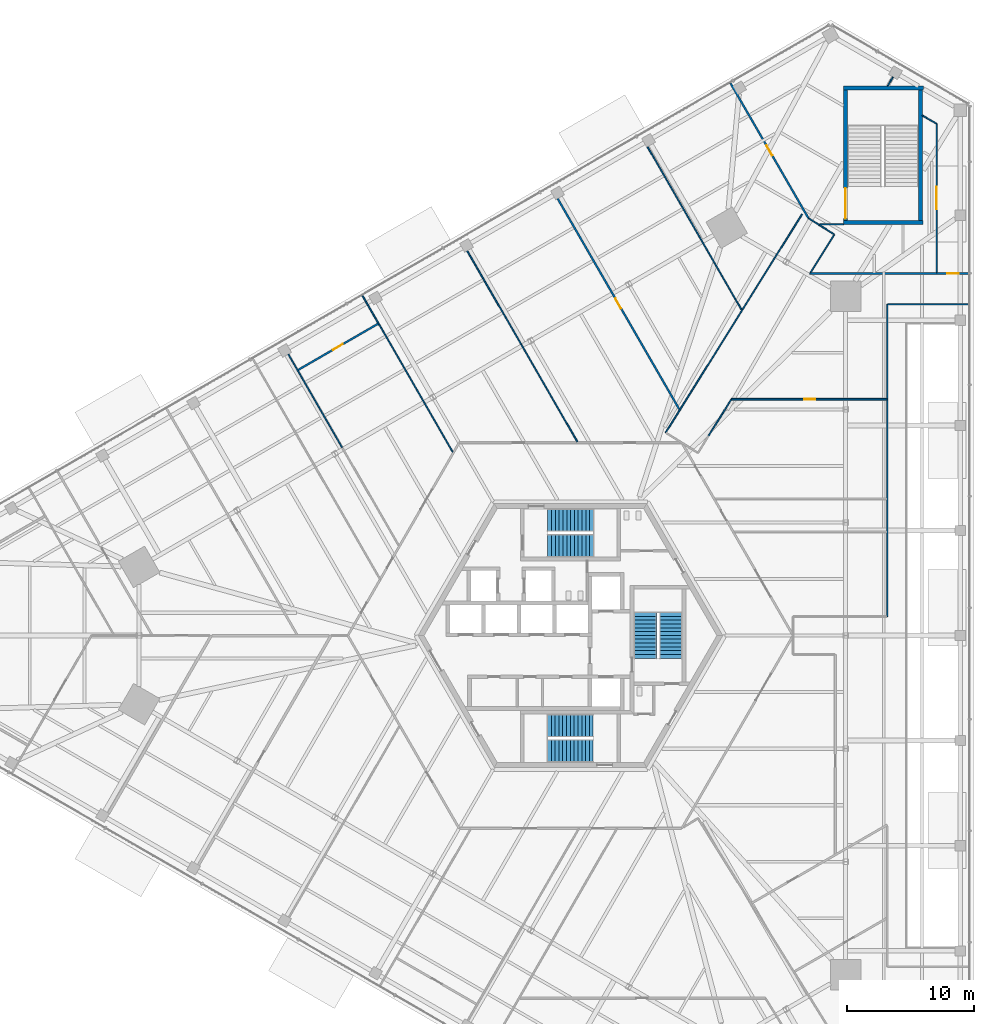
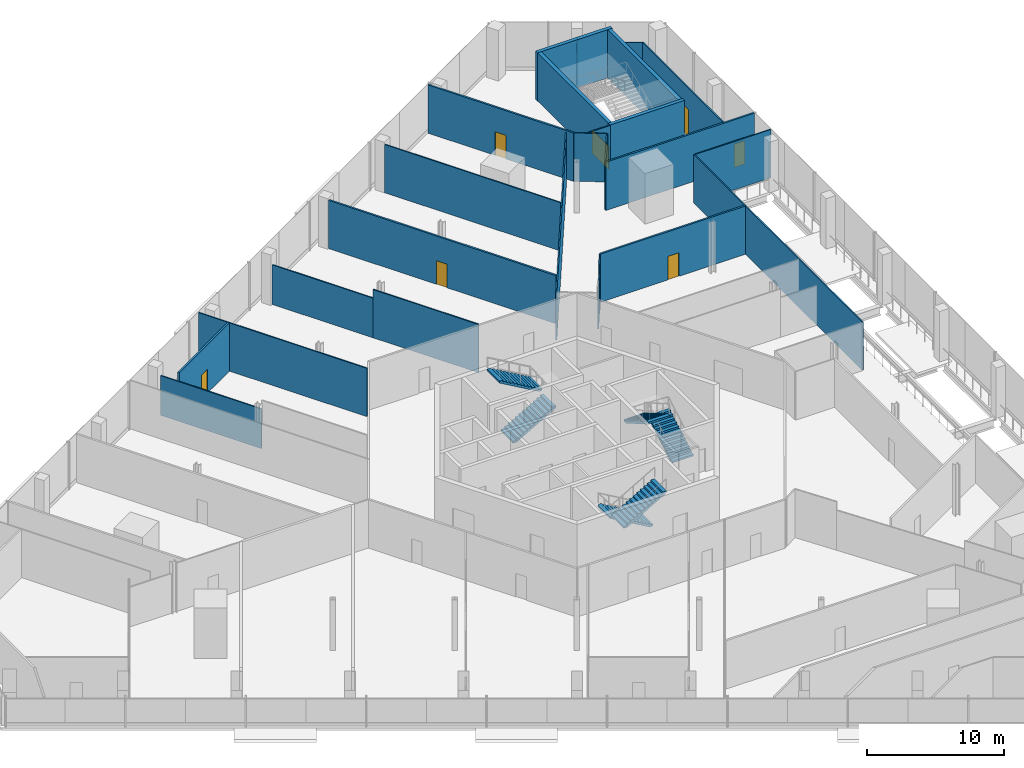
# One storey, part 23 of 27: 25 walls, 7 doors, 6 stair flights, 7 openings, 3 elements without a shape of their own.
"""IFC4 building model written with IfcOpenShell, lengths in metres."""

from ifc_helpers import new_model, si_unit, direction, frame, frame_2d, origin, place, context, subcontext, project, spatial, polyline, rectangle, outline, extrude, source, transform, mapped, material, layer, layer_set, type_object, element, fill, aggregate, save


model = new_model("IFC4")

# Units and contexts
model_context = context("Model", 3, precision=1e-05, world=origin(), true_north=direction((0.0, 1.0)))
body_context = subcontext(model_context, "Body", "Model", "MODEL_VIEW")
ifc_project = project(units=[si_unit("LENGTHUNIT", "METRE"), si_unit("AREAUNIT", "SQUARE_METRE"), si_unit("VOLUMEUNIT", "CUBIC_METRE"), si_unit("PLANEANGLEUNIT", "RADIAN"), si_unit("MASSUNIT", "GRAM", prefix="KILO")], contexts=[model_context])

# Site, building, storey
site_placement = place(None, origin())
site = spatial("IfcSite", under=ifc_project, at=site_placement, CompositionType="ELEMENT")
building_placement = place(site_placement, origin())
building = spatial("IfcBuilding", under=site, at=building_placement, Name="Triune Harvest Tower", CompositionType="ELEMENT")
storey_placement = place(building_placement, frame((0.0, 0.0, 7.0)))
storey = spatial("IfcBuildingStorey", under=building, at=storey_placement, Name="L01", CompositionType="ELEMENT", Elevation=7.0)

# Wall, opening, door
ifc_material_1 = material(Name="Gypsum board on steel studs", Category="steel")
ifc_layer_1 = layer(ifc_material_1, 0.14990234375)
ifc_layer_set_1 = layer_set([ifc_layer_1], Name="Gypsum board on steel studs")
wall_type_1 = type_object("IfcWallType", Name="Fire Partition 150 mm", PredefinedType="PARTITIONING", material=ifc_layer_set_1)
wall_1_placement = place(storey_placement, frame((-1.01171875, 34.432373046875, 0.0), z_axis=(0.0, 0.0, 1.0), x_axis=(0.500001446062, -0.866024568899, 0.0)))
wall_1 = element("IfcWall", 1, at=wall_1_placement, inside=storey, type_object=wall_type_1, Name="Partition L01 011", PredefinedType="PARTITIONING", context=body_context, shape_type="SweptSolid", body=[
    extrude(rectangle(XDim=19.16455078125, YDim=0.14990234375, at=frame_2d((9.582275390625, 0.0))), origin(), (0.0, 0.0, 1.0), 4.300048828125),
])
opening_1_placement = place(wall_1_placement, frame((9.094482421875, 0.0, 0.0)))
opening_1 = element("IfcOpeningElement", 2, at=opening_1_placement, cuts=wall_1, Name="Opening L01-012", PredefinedType="OPENING", context=body_context, shape_type="SweptSolid", body=[
    extrude(rectangle(XDim=0.89990234375, YDim=2.10009765625, at=frame_2d((0.449951171875, 1.050048828125))), frame((0.0, 0.0849609375, 0.0), z_axis=(0.0, -1.0, 0.0), x_axis=(1.0, 0.0, 0.0)), (0.0, 0.0, 1.0), 0.169921875),
])
ifc_material_2 = material(Name="Timber and steel door set", Category="steel")
door_type_1 = type_object("IfcDoorType", Name="Single leaf door FD30 left hand 900 x 2100", OperationType="SINGLE_SWING_LEFT", PredefinedType="DOOR", material=ifc_material_2)
door_1_placement = place(opening_1_placement, origin())
door_1 = element("IfcDoor", 3, at=door_1_placement, inside=storey, type_object=door_type_1, Name="Door L01-012 Dry Store Room 01.13", OperationType="SINGLE_SWING_LEFT", OverallHeight=2.10009765625, OverallWidth=0.89990234375, PredefinedType="DOOR", context=body_context, shape_type="SweptSolid", body=[
    extrude(rectangle(XDim=0.89990234375, YDim=2.10009765625, at=frame_2d((0.449951171875, 1.050048828125))), frame((0.0, 0.02490234375, 0.0), z_axis=(0.0, -1.0, 0.0), x_axis=(1.0, 0.0, 0.0)), (0.0, 0.0, 1.0), 0.050048828125),
])
fill(opening_1, door_1)

wall_2_placement = place(storey_placement, frame((12.612060546875, 43.51513671875, 0.0), z_axis=(0.0, 0.0, 1.0), x_axis=(0.50000466477, -0.866022710561, 0.0)))
wall_2 = element("IfcWall", 4, at=wall_2_placement, inside=storey, type_object=wall_type_1, Name="Partition L01 013", PredefinedType="PARTITIONING", context=body_context, shape_type="SweptSolid", body=[
    extrude(rectangle(XDim=12.28125, YDim=0.14990234375, at=frame_2d((6.140625, 0.0))), origin(), (0.0, 0.0, 1.0), 4.300048828125),
])
opening_2_placement = place(wall_2_placement, frame((5.675048828125, 0.0, 0.0)))
opening_2 = element("IfcOpeningElement", 5, at=opening_2_placement, cuts=wall_2, Name="Opening L01-011", PredefinedType="OPENING", context=body_context, shape_type="SweptSolid", body=[
    extrude(rectangle(XDim=0.89990234375, YDim=2.10009765625, at=frame_2d((0.449951171875, 1.050048828125))), frame((0.0, 0.0849609375, 0.0), z_axis=(0.0, -1.0, 0.0), x_axis=(1.0, 0.0, 0.0)), (0.0, 0.0, 1.0), 0.169921875),
])
ifc_material_3 = material(Name="Timber and steel door set", Category="steel")
door_type_2 = type_object("IfcDoorType", Name="Single leaf door FD30 right hand 900 x 2100", OperationType="SINGLE_SWING_RIGHT", PredefinedType="DOOR", material=ifc_material_3)
door_2_placement = place(opening_2_placement, origin())
door_2 = element("IfcDoor", 6, at=door_2_placement, inside=storey, type_object=door_type_2, Name="Door L01-011 Cold Store 01.12", OperationType="SINGLE_SWING_RIGHT", OverallHeight=2.10009765625, OverallWidth=0.89990234375, PredefinedType="DOOR", context=body_context, shape_type="SweptSolid", body=[
    extrude(rectangle(XDim=0.89990234375, YDim=2.10009765625, at=frame_2d((0.449951171875, 1.050048828125))), frame((0.0, 0.02490234375, 0.0), z_axis=(0.0, -1.0, 0.0), x_axis=(1.0, 0.0, 0.0)), (0.0, 0.0, 1.0), 0.050048828125),
])
fill(opening_2, door_2)

wall_3_placement = place(storey_placement, frame((12.68212890625, 18.621826171875, 0.0), z_axis=(0.0, 0.0, 1.0), x_axis=(1.0, 0.0, 0.0)))
wall_3 = element("IfcWall", 7, at=wall_3_placement, inside=storey, type_object=wall_type_1, Name="Partition L01 039", PredefinedType="PARTITIONING", context=body_context, shape_type="SweptSolid", body=[
    extrude(rectangle(XDim=12.2421875, YDim=0.14990234375, at=frame_2d((6.12109375, 0.0))), origin(), (0.0, 0.0, 1.0), 4.300048828125),
])
opening_3_placement = place(wall_3_placement, frame((5.72216796875, 0.0, 0.0)))
opening_3 = element("IfcOpeningElement", 8, at=opening_3_placement, cuts=wall_3, Name="Opening L01-009", PredefinedType="OPENING", context=body_context, shape_type="SweptSolid", body=[
    extrude(rectangle(XDim=0.89990234375, YDim=2.10009765625, at=frame_2d((0.449951171875, 1.050048828125))), frame((0.0, 0.0849609375, 0.0), z_axis=(0.0, -1.0, 0.0), x_axis=(1.0, 0.0, 0.0)), (0.0, 0.0, 1.0), 0.169921875),
])
door_3_placement = place(opening_3_placement, origin())
door_3 = element("IfcDoor", 9, at=door_3_placement, inside=storey, type_object=door_type_2, Name="Door L01-009 Dry Store Room 01.09", OperationType="SINGLE_SWING_RIGHT", OverallHeight=2.10009765625, OverallWidth=0.89990234375, PredefinedType="DOOR", context=body_context, shape_type="SweptSolid", body=[
    extrude(rectangle(XDim=0.89990234375, YDim=2.10009765625, at=frame_2d((0.449951171875, 1.050048828125))), frame((0.0, 0.02490234375, 0.0), z_axis=(0.0, -1.0, 0.0), x_axis=(1.0, 0.0, 0.0)), (0.0, 0.0, 1.0), 0.050048828125),
])
fill(opening_3, door_3)

wall_4_placement = place(storey_placement, frame((18.87109375, 28.530029296875, 0.0), z_axis=(0.0, 0.0, 1.0), x_axis=(1.0, 0.0, 0.0)))
wall_4 = element("IfcWall", 10, at=wall_4_placement, inside=storey, type_object=wall_type_1, Name="Partition L01 041", PredefinedType="PARTITIONING", context=body_context, shape_type="SweptSolid", body=[
    extrude(rectangle(XDim=12.50830078125, YDim=0.14990234375, at=frame_2d((6.254150390625, 0.0))), origin(), (0.0, 0.0, 1.0), 4.300048828125),
])
opening_4_placement = place(wall_4_placement, frame((10.8330078125, 0.0, 0.0)))
opening_4 = element("IfcOpeningElement", 11, at=opening_4_placement, cuts=wall_4, Name="Opening L01-010", PredefinedType="OPENING", context=body_context, shape_type="SweptSolid", body=[
    extrude(rectangle(XDim=0.89990234375, YDim=2.10009765625, at=frame_2d((0.449951171875, 1.050048828125))), frame((0.0, 0.0849609375, 0.0), z_axis=(0.0, -1.0, 0.0), x_axis=(1.0, 0.0, 0.0)), (0.0, 0.0, 1.0), 0.169921875),
])
door_4_placement = place(opening_4_placement, origin())
door_4 = element("IfcDoor", 12, at=door_4_placement, inside=storey, type_object=door_type_2, Name="Door L01-010 Dry Store Room 01.10", OperationType="SINGLE_SWING_RIGHT", OverallHeight=2.10009765625, OverallWidth=0.89990234375, PredefinedType="DOOR", context=body_context, shape_type="SweptSolid", body=[
    extrude(rectangle(XDim=0.89990234375, YDim=2.10009765625, at=frame_2d((0.449951171875, 1.050048828125))), frame((0.0, 0.02490234375, 0.0), z_axis=(0.0, -1.0, 0.0), x_axis=(1.0, 0.0, 0.0)), (0.0, 0.0, 1.0), 0.050048828125),
])
fill(opening_4, door_4)

wall_5_placement = place(storey_placement, frame((-21.4765625, 20.918212890625, 0.0), z_axis=(0.0, 0.0, 1.0), x_axis=(0.866028707355, 0.499994278004, 0.0)))
wall_5 = element("IfcWall", 13, at=wall_5_placement, inside=storey, type_object=wall_type_1, Name="Partition L01 047", PredefinedType="PARTITIONING", context=body_context, shape_type="SweptSolid", body=[
    extrude(rectangle(XDim=7.30810546875, YDim=0.14990234375, at=frame_2d((3.654052734375, 0.0))), origin(), (0.0, 0.0, 1.0), 4.300048828125),
])
opening_5_placement = place(wall_5_placement, frame((3.18798828125, 0.0, 0.0)))
opening_5 = element("IfcOpeningElement", 14, at=opening_5_placement, cuts=wall_5, Name="Opening L01-014", PredefinedType="OPENING", context=body_context, shape_type="SweptSolid", body=[
    extrude(rectangle(XDim=0.89990234375, YDim=2.10009765625, at=frame_2d((0.449951171875, 1.050048828125))), frame((0.0, 0.0849609375, 0.0), z_axis=(0.0, -1.0, 0.0), x_axis=(1.0, 0.0, 0.0)), (0.0, 0.0, 1.0), 0.169921875),
])
door_5_placement = place(opening_5_placement, origin())
door_5 = element("IfcDoor", 15, at=door_5_placement, inside=storey, type_object=door_type_1, Name="Door L01-014 Dry Store Room 01.15", OperationType="SINGLE_SWING_LEFT", OverallHeight=2.10009765625, OverallWidth=0.89990234375, PredefinedType="DOOR", context=body_context, shape_type="SweptSolid", body=[
    extrude(rectangle(XDim=0.89990234375, YDim=2.10009765625, at=frame_2d((0.449951171875, 1.050048828125))), frame((0.0, 0.02490234375, 0.0), z_axis=(0.0, -1.0, 0.0), x_axis=(1.0, 0.0, 0.0)), (0.0, 0.0, 1.0), 0.050048828125),
])
fill(opening_5, door_5)

# Walls
ifc_material_4 = material(Name="Gypsum board on steel studs", Category="steel")
ifc_layer_2 = layer(ifc_material_4, 0.10009765625)
ifc_layer_set_2 = layer_set([ifc_layer_2], Name="Gypsum board on steel studs")
wall_type_2 = type_object("IfcWallType", Name="Partition 100 mm", PredefinedType="PARTITIONING", material=ifc_layer_set_2)
wall_6_placement = place(storey_placement, frame((-3.8955078125, 22.963134765625, 0.0), z_axis=(0.0, 0.0, 1.0), x_axis=(0.500014285048, -0.866017156151, 0.0)))
element("IfcWall", 16, at=wall_6_placement, inside=storey, type_object=wall_type_2, Name="Partition L01 009a", PredefinedType="PARTITIONING", context=body_context, shape_type="SweptSolid", body=[
    extrude(rectangle(XDim=8.883056640625, YDim=0.10009765625, at=frame_2d((4.44140625, 0.0))), origin(), (0.0, 0.0, 1.0), 4.300048828125),
])
wall_7_placement = place(storey_placement, frame((6.063720703125, 38.517333984375, 0.0), z_axis=(0.0, 0.0, 1.0), x_axis=(0.499994955836, -0.866028316015, 0.0)))
element("IfcWall", 17, at=wall_7_placement, inside=storey, type_object=wall_type_2, Name="Partition L01 012", PredefinedType="PARTITIONING", context=body_context, shape_type="SweptSolid", body=[
    extrude(rectangle(XDim=14.838623046875, YDim=0.10009765625, at=frame_2d((7.41943359375, 0.0))), origin(), (0.0, 0.0, 1.0), 4.300048828125),
])
wall_8_placement = place(storey_placement, frame((18.756591796875, 32.876953125, 0.0), z_axis=(0.0, 0.0, 1.0), x_axis=(0.848102444988, -0.529832277996, 0.0)))
element("IfcWall", 18, at=wall_8_placement, inside=storey, type_object=wall_type_2, Name="Partition L01 017", PredefinedType="PARTITIONING", context=body_context, shape_type="SweptSolid", body=[
    extrude(rectangle(XDim=2.370361328125, YDim=0.10009765625, at=frame_2d((1.18505859375, 0.0))), origin(), (0.0, 0.0, 1.0), 4.300048828125),
])
wall_9_placement = place(storey_placement, frame((27.719970703125, 40.980712890625, 0.0), z_axis=(0.0, 0.0, 1.0), x_axis=(0.865974376179, -0.500088371992, 0.0)))
element("IfcWall", 19, at=wall_9_placement, inside=storey, type_object=wall_type_2, Name="Partition L01 021", PredefinedType="PARTITIONING", context=body_context, shape_type="SweptSolid", body=[
    extrude(rectangle(XDim=1.289794921875, YDim=0.10009765625, at=frame_2d((0.64501953125, 0.0))), origin(), (0.0, 0.0, 1.0), 4.300048828125),
])
wall_10_placement = place(storey_placement, frame((10.866455078125, 15.715087890625, 0.0), z_axis=(0.0, 0.0, 1.0), x_axis=(0.529713918313, 0.848176375965, 0.0)))
element("IfcWall", 20, at=wall_10_placement, inside=storey, type_object=wall_type_2, Name="Partition L01 050a", PredefinedType="PARTITIONING", context=body_context, shape_type="SweptSolid", body=[
    extrude(rectangle(XDim=2.0791015625, YDim=0.10009765625, at=frame_2d((1.03955078125, 0.0))), origin(), (0.0, 0.0, 1.0), 3.357666015625),
])
wall_11_placement = place(storey_placement, frame((11.9677734375, 17.478515625, 0.0), z_axis=(0.0, 0.0, 1.0), x_axis=(0.529780863385, 0.848134562903, 0.0)))
element("IfcWall", 21, at=wall_11_placement, inside=storey, type_object=wall_type_2, Name="Partition L01 050b", PredefinedType="PARTITIONING", context=body_context, shape_type="SweptSolid", body=[
    extrude(rectangle(XDim=1.308349609375, YDim=0.10009765625, at=frame_2d((0.654296875, 0.0))), origin(), (0.0, 0.0, 1.0), 4.300048828125),
])
wall_12_placement = place(storey_placement, frame((18.92431640625, 28.61474609375, 0.0), z_axis=(0.0, 0.0, 1.0), x_axis=(0.52976863329, 0.848142202217, 0.0)))
element("IfcWall", 22, at=wall_12_placement, inside=storey, type_object=wall_type_2, Name="Partition L01 051", PredefinedType="PARTITIONING", context=body_context, shape_type="SweptSolid", body=[
    extrude(rectangle(XDim=3.52587890625, YDim=0.10009765625, at=frame_2d((1.762939453125, 0.0))), origin(), (0.0, 0.0, 1.0), 4.300048828125),
])
wall_13_placement = place(storey_placement, frame((7.4990234375, 15.987060546875, 0.0), z_axis=(0.0, 0.0, 1.0), x_axis=(0.529789085059, 0.848129427241, 0.0)))
element("IfcWall", 23, at=wall_13_placement, inside=storey, type_object=wall_type_2, Name="Partition L01 052", PredefinedType="PARTITIONING", context=body_context, shape_type="SweptSolid", body=[
    extrude(rectangle(XDim=20.288818359375, YDim=0.10009765625, at=frame_2d((10.14453125, 0.0))), origin(), (0.0, 0.0, 1.0), 4.300048828125),
])

# Wall, opening, door
wall_14_placement = place(storey_placement, frame((28.854248046875, 28.590087890625, 0.0), z_axis=(0.0, 0.0, 1.0), x_axis=(0.0, 1.0, 0.0)))
wall_14 = element("IfcWall", 24, at=wall_14_placement, inside=storey, type_object=wall_type_2, Name="Partition L01 063", PredefinedType="PARTITIONING", context=body_context, shape_type="SweptSolid", body=[
    extrude(rectangle(XDim=11.735595703125, YDim=0.10009765625, at=frame_2d((5.86767578125, 0.0))), origin(), (0.0, 0.0, 1.0), 4.300048828125),
])
opening_6_placement = place(wall_14_placement, frame((4.985595703125, 0.0, 0.0)))
opening_6 = element("IfcOpeningElement", 25, at=opening_6_placement, cuts=wall_14, Name="Opening L01-006", PredefinedType="OPENING", context=body_context, shape_type="SweptSolid", body=[
    extrude(rectangle(XDim=1.800048828125, YDim=2.39990234375, at=frame_2d((0.89990234375, 1.199951171875))), frame((0.0, 0.06005859375, 0.0), z_axis=(0.0, -1.0, 0.0), x_axis=(1.0, 0.0, 0.0)), (0.0, 0.0, 1.0), 0.1201171875),
])
ifc_material_5 = material(Name="Timber and steel door set", Category="steel")
door_type_3 = type_object("IfcDoorType", Name="Double leaf door 1800 x 2400", OperationType="DOUBLE_DOOR_SINGLE_SWING", PredefinedType="DOOR", material=ifc_material_5)
door_6_placement = place(opening_6_placement, origin())
door_6 = element("IfcDoor", 26, at=door_6_placement, inside=storey, type_object=door_type_3, Name="Door L01-006 Food Hall 01.06", OperationType="DOUBLE_DOOR_SINGLE_SWING", OverallHeight=2.39990234375, OverallWidth=1.800048828125, PredefinedType="DOOR", context=body_context, shape_type="SweptSolid", body=[
    extrude(rectangle(XDim=1.800048828125, YDim=2.39990234375, at=frame_2d((0.89990234375, 1.199951171875))), frame((0.0, 0.02490234375, 0.0), z_axis=(0.0, -1.0, 0.0), x_axis=(1.0, 0.0, 0.0)), (0.0, 0.0, 1.0), 0.050048828125),
])
fill(opening_6, door_6)

# Wall
wall_15_placement = place(storey_placement, frame((24.954345703125, 1.5, 0.0), z_axis=(0.0, 0.0, 1.0), x_axis=(0.0, 1.0, 0.0)))
element("IfcWall", 27, at=wall_15_placement, inside=storey, type_object=wall_type_2, Name="Partition L01 065", PredefinedType="PARTITIONING", context=body_context, shape_type="SweptSolid", body=[
    extrude(rectangle(XDim=24.60009765625, YDim=0.10009765625, at=frame_2d((12.300048828125, 0.0))), origin(), (0.0, 0.0, 1.0), 4.300048828125),
])

# Wall, opening, door
ifc_material_6 = material(Name="Concrete 70 MPa", Category="concrete")
ifc_layer_3 = layer(ifc_material_6, 0.300048828125)
ifc_layer_set_3 = layer_set([ifc_layer_3], Name="Concrete 70 MPa")
wall_type_3 = type_object("IfcWallType", Name="Core wall 300", PredefinedType="SHEAR", material=ifc_layer_set_3)
shared_shape_1 = source(origin(), body_context, "Body", "SweptSolid", [
    extrude(rectangle(XDim=10.300048828125, YDim=0.300048828125, at=frame_2d((5.14990234375, 0.0))), origin(), (0.0, 0.0, 1.0), 4.300048828125),
])
wall_16_placement = place(storey_placement, frame((21.669921875, 32.699951171875, 0.0), z_axis=(0.0, 0.0, 1.0), x_axis=(0.0, 1.0, 0.0)))
wall_16 = element("IfcWall", 28, at=wall_16_placement, inside=storey, type_object=wall_type_3, Name="Podium stair ps 1 west wall", PredefinedType="SHEAR", context=body_context, shape_type="MappedRepresentation", body=[
    mapped(shared_shape_1, transform((0.0, 0.0, 0.0), scale=1.0)),
])
opening_7_placement = place(wall_16_placement, frame((0.14990234375, 0.0, 0.0)))
opening_7 = element("IfcOpeningElement", 29, at=opening_7_placement, cuts=wall_16, Name="Opening PS-1-01A", PredefinedType="OPENING", context=body_context, shape_type="SweptSolid", body=[
    extrude(rectangle(XDim=2.39990234375, YDim=2.10009765625, at=frame_2d((1.199951171875, 1.050048828125))), frame((0.0, 0.16015625, 0.0), z_axis=(0.0, -1.0, 0.0), x_axis=(1.0, 0.0, 0.0)), (0.0, 0.0, 1.0), 0.320068359375),
])
ifc_material_7 = material(Name="Steel S235", Category="steel")
door_type_4 = type_object("IfcDoorType", Name="Stair door 2400 FD120", OperationType="DOUBLE_DOOR_DOUBLE_SWING", PredefinedType="DOOR", material=ifc_material_7)
door_7_placement = place(opening_7_placement, origin())
door_7 = element("IfcDoor", 30, at=door_7_placement, inside=storey, type_object=door_type_4, Name="Door PS-1-01A", OperationType="DOUBLE_DOOR_DOUBLE_SWING", OverallHeight=2.10009765625, OverallWidth=2.39990234375, PredefinedType="DOOR", context=body_context, shape_type="SweptSolid", body=[
    extrude(rectangle(XDim=2.39990234375, YDim=2.10009765625, at=frame_2d((1.199951171875, 1.050048828125))), frame((0.0, 0.02490234375, 0.0), z_axis=(0.0, -1.0, 0.0), x_axis=(1.0, 0.0, 0.0)), (0.0, 0.0, 1.0), 0.050048828125),
])
fill(opening_7, door_7)

# Walls
wall_17_placement = place(storey_placement, frame((27.570068359375, 32.699951171875, 0.0), z_axis=(0.0, 0.0, 1.0), x_axis=(0.0, 1.0, 0.0)))
element("IfcWall", 31, at=wall_17_placement, inside=storey, type_object=wall_type_3, Name="Podium stair ps 1 east wall", PredefinedType="SHEAR", context=body_context, shape_type="MappedRepresentation", body=[
    mapped(shared_shape_1, transform((0.0, 0.0, 0.0), scale=1.0)),
])
shared_shape_2 = source(origin(), body_context, "Body", "SweptSolid", [
    extrude(rectangle(XDim=6.260009765625, YDim=0.300048828125, at=frame_2d((3.1298828125, 0.0))), origin(), (0.0, 0.0, 1.0), 4.300048828125),
])
wall_18_placement = place(storey_placement, frame((21.52001953125, 32.550048828125, 0.0), z_axis=(0.0, 0.0, 1.0), x_axis=(1.0, 0.0, 0.0)))
element("IfcWall", 32, at=wall_18_placement, inside=storey, type_object=wall_type_3, Name="Podium stair ps 1 south wall", PredefinedType="SHEAR", context=body_context, shape_type="MappedRepresentation", body=[
    mapped(shared_shape_2, transform((0.0, 0.0, 0.0), scale=1.0)),
])
shared_shape_3 = source(origin(), body_context, "Body", "SweptSolid", [
    extrude(rectangle(XDim=6.31005859375, YDim=0.300048828125, at=frame_2d((3.155029296875, 0.0))), origin(), (0.0, 0.0, 1.0), 4.300048828125),
])
wall_19_placement = place(storey_placement, frame((21.52001953125, 43.14990234375, 0.0), z_axis=(0.0, 0.0, 1.0), x_axis=(1.0, 0.0, 0.0)))
element("IfcWall", 33, at=wall_19_placement, inside=storey, type_object=wall_type_3, Name="Podium stair ps 1 north wall", PredefinedType="SHEAR", context=body_context, shape_type="MappedRepresentation", body=[
    mapped(shared_shape_3, transform((0.0, 0.0, 0.0), scale=1.0)),
])
shared_shape_4 = source(origin(), body_context, "Body", "SweptSolid", [
    extrude(rectangle(XDim=8.490478515625, YDim=0.10009765625, at=frame_2d((4.2451171875, 0.0))), origin(), (0.0, 0.0, 1.0), 3.52783203125),
])
wall_20_placement = place(storey_placement, frame((-22.238037109375, 22.17724609375, 0.0), z_axis=(0.0, 0.0, 1.0), x_axis=(0.500007862672, -0.866020864221, 0.0)))
element("IfcWall", 34, at=wall_20_placement, inside=storey, type_object=wall_type_2, Name="Partition L01 006", PredefinedType="PARTITIONING", context=body_context, shape_type="MappedRepresentation", body=[
    mapped(shared_shape_4, transform((0.0, 0.0, 0.0), scale=1.0)),
])
shared_shape_5 = source(origin(), body_context, "Body", "SweptSolid", [
    extrude(rectangle(XDim=14.209716796875, YDim=0.10009765625, at=frame_2d((7.10498046875, 0.0))), origin(), (0.0, 0.0, 1.0), 4.300048828125),
])
wall_21_placement = place(storey_placement, frame((-16.384033203125, 26.7744140625, 0.0), z_axis=(0.0, 0.0, 1.0), x_axis=(0.499988175011, -0.866032230837, 0.0)))
element("IfcWall", 35, at=wall_21_placement, inside=storey, type_object=wall_type_2, Name="Partition L01 007", PredefinedType="PARTITIONING", context=body_context, shape_type="MappedRepresentation", body=[
    mapped(shared_shape_5, transform((0.0, 0.0, 0.0), scale=1.0)),
])
shared_shape_6 = source(origin(), body_context, "Body", "SweptSolid", [
    extrude(rectangle(XDim=0.822265625, YDim=0.10009765625, at=frame_2d((0.4111328125, 0.0))), origin(), (0.0, 0.0, 1.0), 3.687744140625),
])
wall_22_placement = place(storey_placement, frame((24.999267578125, 43.300048828125, 0.0), z_axis=(0.0, 0.0, 1.0), x_axis=(0.499970888758, 0.866042210515, 0.0)))
element("IfcWall", 36, at=wall_22_placement, inside=storey, type_object=wall_type_2, Name="Partition L01 057", PredefinedType="PARTITIONING", context=body_context, shape_type="MappedRepresentation", body=[
    mapped(shared_shape_6, transform((0.0, 0.0, 0.0), scale=1.0)),
])
shared_shape_7 = source(origin(), body_context, "Body", "SweptSolid", [
    extrude(rectangle(XDim=8.49072265625, YDim=0.10009765625, at=frame_2d((4.245361328125, 0.0))), origin(), (0.0, 0.0, 1.0), 3.52783203125),
])
wall_23_placement = place(storey_placement, frame((-8.140869140625, 30.31640625, 0.0), z_axis=(0.0, 0.0, 1.0), x_axis=(0.499995411839, -0.866028052744, 0.0)))
element("IfcWall", 37, at=wall_23_placement, inside=storey, type_object=wall_type_2, Name="Partition L01 009", PredefinedType="PARTITIONING", context=body_context, shape_type="MappedRepresentation", body=[
    mapped(shared_shape_7, transform((0.0, 0.0, 0.0), scale=1.0)),
])
shared_shape_8 = source(origin(), body_context, "Body", "SweptSolid", [
    extrude(rectangle(XDim=1.8701171875, YDim=0.10009765625, at=frame_2d((0.93505859375, 0.0))), origin(), (0.0, 0.0, 1.0), 4.300048828125),
])
wall_24_placement = place(storey_placement, frame((19.64990234375, 32.39990234375, 0.0), z_axis=(0.0, 0.0, 1.0), x_axis=(1.0, 0.0, 0.0)))
element("IfcWall", 38, at=wall_24_placement, inside=storey, type_object=wall_type_2, Name="Partition L01 042", PredefinedType="PARTITIONING", context=body_context, shape_type="MappedRepresentation", body=[
    mapped(shared_shape_8, transform((0.0, 0.0, 0.0), scale=1.0)),
])
shared_shape_9 = source(origin(), body_context, "Body", "SweptSolid", [
    extrude(rectangle(XDim=6.39501953125, YDim=0.10009765625, at=frame_2d((3.197509765625, 0.0))), origin(), (0.0, 0.0, 1.0), 4.300048828125),
])
wall_25_placement = place(storey_placement, frame((24.984375, 26.10009765625, 0.0), z_axis=(0.0, 0.0, 1.0), x_axis=(1.0, 0.0, 0.0)))
element("IfcWall", 39, at=wall_25_placement, inside=storey, type_object=wall_type_2, Name="Partition L01 040", PredefinedType="PARTITIONING", context=body_context, shape_type="MappedRepresentation", body=[
    mapped(shared_shape_9, transform((0.0, 0.0, 0.0), scale=1.0)),
])

# Stair, stair flights
ifc_material_8 = material(Name="Concrete 40 MPa", Category="concrete")
stair_type = type_object("IfcStairType", Name="Exit stair 1800 half turn", PredefinedType="HALF_TURN_STAIR", material=ifc_material_8)
stair_1_placement = place(storey_placement, origin())
stair_1 = element("IfcStair", 40, at=stair_1_placement, inside=storey, type_object=stair_type, Name="Exit stair north", PredefinedType="HALF_TURN_STAIR")
ifc_material_9 = material(Name="Concrete 40 MPa", Category="concrete")
stair_flight_type = type_object("IfcStairFlightType", Name="Stair flight 1800", PredefinedType="STRAIGHT", material=ifc_material_9)
shared_shape_10 = source(origin(), body_context, "Body", "SweptSolid", [
    extrude(outline(polyline([(0.0, 0.0), (0.0, 0.173095703125), (0.300048828125, 0.173095703125), (0.300048828125, 0.34619140625), (0.60009765625, 0.34619140625), (0.60009765625, 0.519287109375), (0.89990234375, 0.519287109375), (0.89990234375, 0.6923828125), (1.199951171875, 0.6923828125), (1.199951171875, 0.865478515625), (1.5, 0.865478515625), (1.5, 1.03857421875), (1.800048828125, 1.03857421875), (1.800048828125, 1.211669921875), (2.10009765625, 1.211669921875), (2.10009765625, 1.384521484375), (2.39990234375, 1.384521484375), (2.39990234375, 1.5576171875), (2.699951171875, 1.5576171875), (2.699951171875, 1.730712890625), (3.0, 1.730712890625), (3.0, 1.90380859375), (3.300048828125, 1.90380859375), (3.300048828125, 2.076904296875), (3.60009765625, 2.076904296875), (3.60009765625, 2.25), (3.60009765625, 1.90380859375), (0.300048828125, 0.0), (0.0, 0.0)])), frame((0.0, 0.89990234375, 0.0), z_axis=(0.0, -1.0, 0.0), x_axis=(1.0, 0.0, 0.0)), (0.0, 0.0, 1.0), 1.800048828125),
])
stair_flight_1_placement = place(storey_placement, frame((-1.7900390625, 7.090087890625, 0.0), z_axis=(0.0, 0.0, 1.0), x_axis=(1.0, 0.0, 0.0)))
stair_flight_1 = element("IfcStairFlight", 41, at=stair_flight_1_placement, type_object=stair_flight_type, Name="ST-1 flight 1", NumberOfRisers=13, NumberOfTreads=12, PredefinedType="STRAIGHT", RiserHeight=0.17308, TreadLength=0.3, context=body_context, shape_type="MappedRepresentation", body=[
    mapped(shared_shape_10, transform((0.0, 0.0, 0.0), scale=1.0)),
])
stair_flight_2_placement = place(storey_placement, frame((1.81005859375, 9.090087890625, 2.25), z_axis=(0.0, 0.0, 1.0), x_axis=(-1.0, 0.0, 0.0)))
stair_flight_2 = element("IfcStairFlight", 42, at=stair_flight_2_placement, type_object=stair_flight_type, Name="ST-1 flight 2", NumberOfRisers=13, NumberOfTreads=12, PredefinedType="STRAIGHT", RiserHeight=0.17308, TreadLength=0.3, context=body_context, shape_type="MappedRepresentation", body=[
    mapped(shared_shape_10, transform((0.0, 0.0, 0.0), scale=1.0)),
])
aggregate(stair_1, [stair_flight_1, stair_flight_2])

stair_2_placement = place(storey_placement, origin())
stair_2 = element("IfcStair", 43, at=stair_2_placement, inside=storey, type_object=stair_type, Name="Exit stair south", PredefinedType="HALF_TURN_STAIR")
stair_flight_3_placement = place(storey_placement, frame((1.7900390625, -7.090087890625, 0.0), z_axis=(0.0, 0.0, 1.0), x_axis=(-1.0, 0.0, 0.0)))
stair_flight_3 = element("IfcStairFlight", 44, at=stair_flight_3_placement, type_object=stair_flight_type, Name="ST-2 flight 1", NumberOfRisers=13, NumberOfTreads=12, PredefinedType="STRAIGHT", RiserHeight=0.17308, TreadLength=0.3, context=body_context, shape_type="MappedRepresentation", body=[
    mapped(shared_shape_10, transform((0.0, 0.0, 0.0), scale=1.0)),
])
stair_flight_4_placement = place(storey_placement, frame((-1.81005859375, -9.090087890625, 2.25), z_axis=(0.0, 0.0, 1.0), x_axis=(1.0, 0.0, 0.0)))
stair_flight_4 = element("IfcStairFlight", 45, at=stair_flight_4_placement, type_object=stair_flight_type, Name="ST-2 flight 2", NumberOfRisers=13, NumberOfTreads=12, PredefinedType="STRAIGHT", RiserHeight=0.17308, TreadLength=0.3, context=body_context, shape_type="MappedRepresentation", body=[
    mapped(shared_shape_10, transform((0.0, 0.0, 0.0), scale=1.0)),
])
aggregate(stair_2, [stair_flight_3, stair_flight_4])

stair_3_placement = place(storey_placement, origin())
stair_3 = element("IfcStair", 46, at=stair_3_placement, inside=storey, type_object=stair_type, Name="Exit stair east", PredefinedType="HALF_TURN_STAIR")
stair_flight_5_placement = place(storey_placement, frame((7.89990234375, -1.7900390625, 0.0), z_axis=(0.0, 0.0, 1.0), x_axis=(0.0, 1.0, 0.0)))
stair_flight_5 = element("IfcStairFlight", 47, at=stair_flight_5_placement, type_object=stair_flight_type, Name="ST-3 flight 1", NumberOfRisers=13, NumberOfTreads=12, PredefinedType="STRAIGHT", RiserHeight=0.17308, TreadLength=0.3, context=body_context, shape_type="MappedRepresentation", body=[
    mapped(shared_shape_10, transform((0.0, 0.0, 0.0), scale=1.0)),
])
stair_flight_6_placement = place(storey_placement, frame((5.89990234375, 1.81005859375, 2.25), z_axis=(0.0, 0.0, 1.0), x_axis=(0.0, -1.0, 0.0)))
stair_flight_6 = element("IfcStairFlight", 48, at=stair_flight_6_placement, type_object=stair_flight_type, Name="ST-3 flight 2", NumberOfRisers=13, NumberOfTreads=12, PredefinedType="STRAIGHT", RiserHeight=0.17308, TreadLength=0.3, context=body_context, shape_type="MappedRepresentation", body=[
    mapped(shared_shape_10, transform((0.0, 0.0, 0.0), scale=1.0)),
])
aggregate(stair_3, [stair_flight_5, stair_flight_6])

save(model, "model.ifc")
